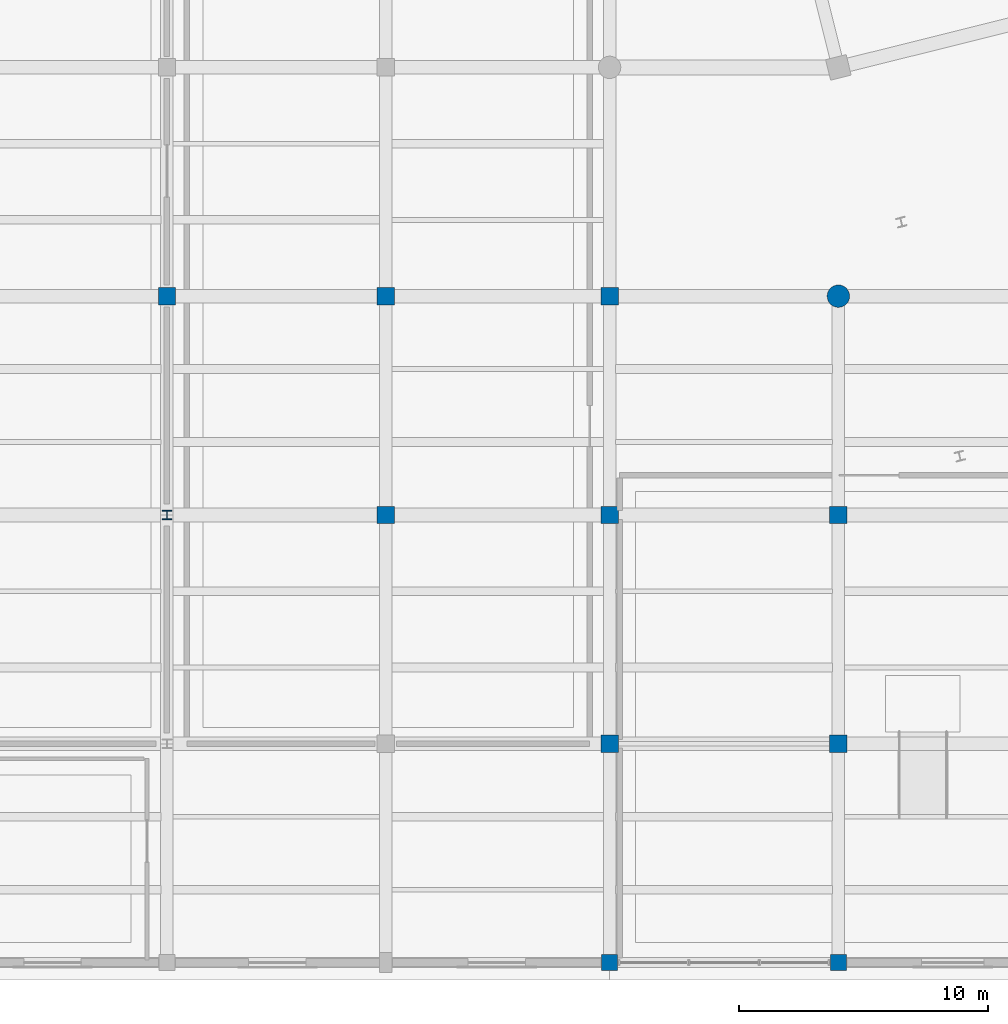
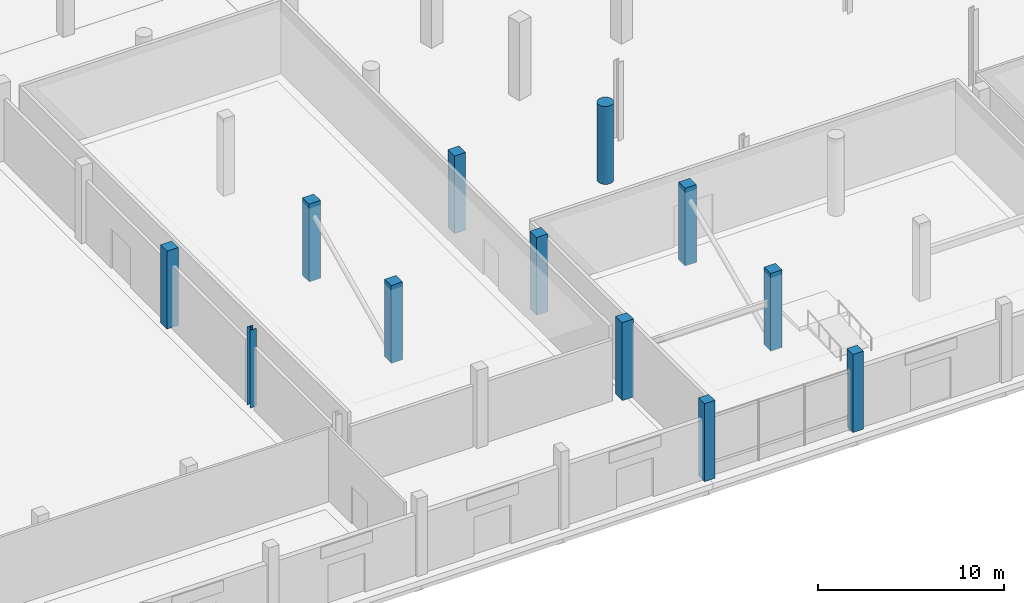
# One storey, part 2 of 73: 12 columns.
"""IFC4 building model written with IfcOpenShell, lengths in metres."""

from ifc_helpers import new_model, si_unit, direction, frame, origin, origin_2d, place, context, subcontext, project, spatial, rectangle, circle, i_section, extrude, material, material_profile, profile_set, type_object, element, save


model = new_model("IFC4")

# Units and contexts
model_context = context("Model", 3, precision=1e-05, world=origin(), true_north=direction((0.0, 1.0)))
body_context = subcontext(model_context, "Body", "Model", "MODEL_VIEW")
ifc_project = project(units=[si_unit("LENGTHUNIT", "METRE"), si_unit("AREAUNIT", "SQUARE_METRE"), si_unit("VOLUMEUNIT", "CUBIC_METRE"), si_unit("PLANEANGLEUNIT", "RADIAN"), si_unit("MASSUNIT", "GRAM", prefix="KILO")], contexts=[model_context])

# Site, building, storey
site_placement = place(None, origin())
site = spatial("IfcSite", under=ifc_project, at=site_placement, CompositionType="ELEMENT")
building_placement = place(site_placement, origin())
building = spatial("IfcBuilding", under=site, at=building_placement, Name="Meriwether Solvik Hall", CompositionType="ELEMENT")
storey_placement = place(building_placement, origin())
storey = spatial("IfcBuildingStorey", under=building, at=storey_placement, Name="L00", CompositionType="ELEMENT", Elevation=0.0)

# Columns
ifc_material_1 = material(Name="Concrete C40/50", Category="concrete")
ifc_material_profile_1 = material_profile(ifc_material_1, rectangle(XDim=0.64990234375, YDim=0.64990234375, at=origin_2d()), Name="RCC-650X650")
ifc_profile_set_1 = profile_set([ifc_material_profile_1], Name="Concrete C40/50")
column_type_1 = type_object("IfcColumnType", Name="COL-RC-650", PredefinedType="COLUMN", material=ifc_profile_set_1)
for number, where, z_axis, x_axis, name in (
    (1, (59.39990234375, 5.199951171875, 0.0), (0.0, 0.0, 1.0), (1.0, 0.0, 0.0), "Podium Column 7/A (L00)"),
    (2, (68.60009765625, 5.199951171875, 0.0), (0.0, 0.0, 1.0), (1.0, 0.0, 0.0), "Podium Column 8/A (L00)"),
):
    element("IfcColumn", number, at=place(storey_placement, frame(where, z_axis=z_axis, x_axis=x_axis)), inside=storey, type_object=column_type_1, Name=name, PredefinedType="COLUMN", context=body_context, shape_type="SweptSolid", body=[
        extrude(rectangle(XDim=0.64990234375, YDim=0.64990234375, at=origin_2d()), origin(), (0.0, 0.0, 1.0), 5.10009765625),
    ])
ifc_material_2 = material(Name="Concrete C40/50", Category="concrete")
ifc_material_profile_2 = material_profile(ifc_material_2, rectangle(XDim=0.699951171875, YDim=0.699951171875, at=origin_2d()), Name="RCC-700X700")
ifc_profile_set_2 = profile_set([ifc_material_profile_2], Name="Concrete C40/50")
column_type_2 = type_object("IfcColumnType", Name="COL-RC-700", PredefinedType="COLUMN", material=ifc_profile_set_2)
for number, where, z_axis, x_axis, name in (
    (3, (41.60009765625, 32.0, 0.0), (0.0, 0.0, 1.0), (1.0, 0.0, 0.0), "Podium Column 5/D (L00)"),
    (4, (50.39990234375, 23.199951171875, 0.0), (0.0, 0.0, 1.0), (1.0, 0.0, 0.0), "Podium Column 6/C (L00)"),
    (5, (50.39990234375, 32.0, 0.0), (0.0, 0.0, 1.0), (1.0, 0.0, 0.0), "Podium Column 6/D (L00)"),
    (6, (59.39990234375, 14.0, 0.0), (0.0, 0.0, 1.0), (1.0, 0.0, 0.0), "Podium Column 7/B (L00)"),
    (7, (59.39990234375, 23.199951171875, 0.0), (0.0, 0.0, 1.0), (1.0, 0.0, 0.0), "Podium Column 7/C (L00)"),
    (8, (59.39990234375, 32.0, 0.0), (0.0, 0.0, 1.0), (1.0, 0.0, 0.0), "Podium Column 7/D (L00)"),
    (9, (68.60009765625, 14.0, 0.0), (0.0, 0.0, 1.0), (1.0, 0.0, 0.0), "Podium Column 8/B (L00)"),
    (10, (68.60009765625, 23.199951171875, 0.0), (0.0, 0.0, 1.0), (1.0, 0.0, 0.0), "Podium Column 8/C (L00)"),
):
    element("IfcColumn", number, at=place(storey_placement, frame(where, z_axis=z_axis, x_axis=x_axis)), inside=storey, type_object=column_type_2, Name=name, PredefinedType="COLUMN", context=body_context, shape_type="SweptSolid", body=[
        extrude(rectangle(XDim=0.699951171875, YDim=0.699951171875, at=origin_2d()), origin(), (0.0, 0.0, 1.0), 5.10009765625),
    ])
ifc_material_3 = material(Name="Concrete C40/50", Category="concrete")
ifc_material_profile_3 = material_profile(ifc_material_3, circle(Radius=0.449951171875, at=origin_2d()), Name="RCC-D900")
ifc_profile_set_3 = profile_set([ifc_material_profile_3], Name="Concrete C40/50")
column_type_3 = type_object("IfcColumnType", Name="COL-RC-D900", PredefinedType="COLUMN", material=ifc_profile_set_3)
column_1_placement = place(storey_placement, frame((68.60009765625, 32.0, 0.0), z_axis=(0.0, 0.0, 1.0), x_axis=(1.0, 0.0, 0.0)))
element("IfcColumn", 11, at=column_1_placement, inside=storey, type_object=column_type_3, Name="Podium Column 8/D (L00)", PredefinedType="COLUMN", context=body_context, shape_type="SweptSolid", body=[
    extrude(circle(Radius=0.449951171875, at=origin_2d()), origin(), (0.0, 0.0, 1.0), 5.10009765625),
])
ifc_material_4 = material(Name="Steel A992 Grade 50", Category="steel")
ifc_material_profile_4 = material_profile(ifc_material_4, i_section(OverallWidth=0.3740234375, OverallDepth=0.3720703125, WebThickness=0.016357421875, FlangeThickness=0.026123046875, at=origin_2d()), Name="W14X132")
ifc_profile_set_4 = profile_set([ifc_material_profile_4], Name="Steel A992 Grade 50")
column_type_4 = type_object("IfcColumnType", Name="COL-STL-W14X132", PredefinedType="COLUMN", material=ifc_profile_set_4)
column_2_placement = place(storey_placement, frame((41.60009765625, 23.199951171875, 0.0), z_axis=(0.0, 0.0, 1.0), x_axis=(1.0, 0.0, 0.0)))
element("IfcColumn", 12, at=column_2_placement, inside=storey, type_object=column_type_4, Name="Podium Column 5/C (L00)", PredefinedType="COLUMN", context=body_context, shape_type="SweptSolid", body=[
    extrude(i_section(OverallWidth=0.3740234375, OverallDepth=0.3720703125, WebThickness=0.016357421875, FlangeThickness=0.026123046875, at=origin_2d()), origin(), (0.0, 0.0, 1.0), 5.10009765625),
])

save(model, "model.ifc")
